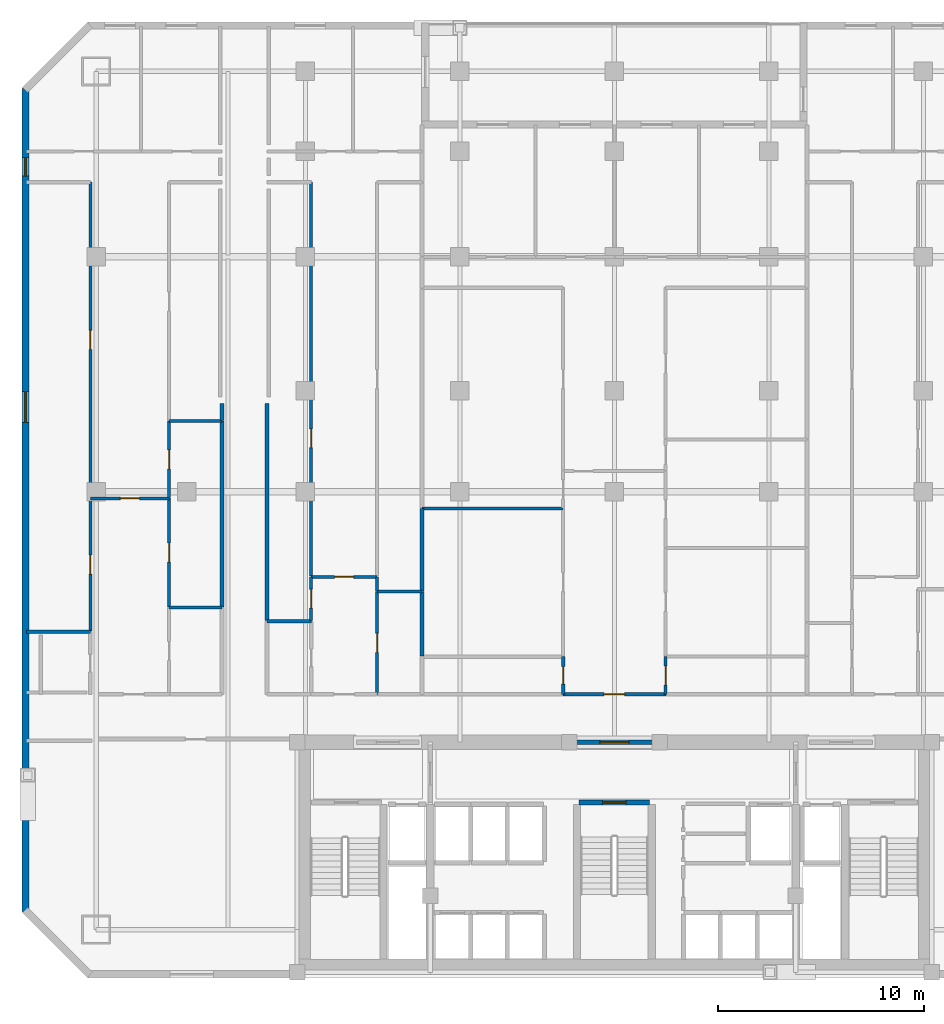
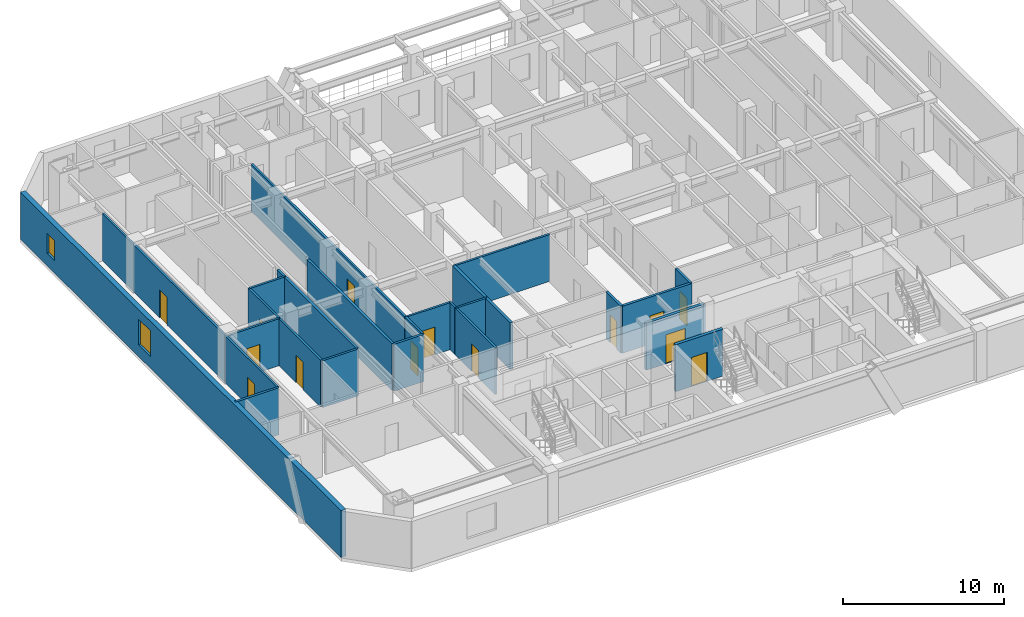
# One storey, part 4 of 10: 27 walls, 14 doors, 2 windows, 16 openings.
"""IFC4 building model written with IfcOpenShell, lengths in metres."""

import ifcopenshell
import ifcopenshell.guid

model = None  # the IFC model being written
_history = None  # IfcOwnerHistory: only IFC2X3 demands one
_inside = {}  # id of a spatial element -> (the spatial element, [elements in it])
_under = {}  # id of a project, library or spatial element -> (it, [spatial elements below it])
_declared = {}  # id of a project -> (the project, [libraries it declares])
_typed = {}  # id of a type object -> (the type object, [elements of that type])
_made_of = {}  # id of a material, layer set ... -> (it, [elements and type objects made of it])


def new_model(schema):
    """Start an empty IFC model of exactly this schema.

    Asked for "IFC4X3", IfcOpenShell would pick the latest addendum, in which some entities
    have other attributes; the version numbers below select the first issue.
    IFC2X3 requires an IfcOwnerHistory on every rooted entity: one is made here for all.
    """
    global model, _history
    if schema == "IFC4X3":
        model = ifcopenshell.file(schema_version=(4, 3, 0, 0))
    else:
        model = ifcopenshell.file(schema=schema)
    _inside.clear()
    _under.clear()
    _declared.clear()
    _typed.clear()
    _made_of.clear()
    _history = None
    if model.schema == "IFC2X3":
        org = make("IfcOrganization", Name="unknown")
        user = make(
            "IfcPersonAndOrganization",
            ThePerson=make("IfcPerson", FamilyName="unknown"),
            TheOrganization=org,
        )
        app = make(
            "IfcApplication",
            ApplicationDeveloper=org,
            Version="unknown",
            ApplicationFullName="unknown",
            ApplicationIdentifier="unknown",
        )
        _history = make(
            "IfcOwnerHistory",
            OwningUser=user,
            OwningApplication=app,
            ChangeAction="ADDED",
            CreationDate=0,
        )
    return model


def make(cls, **values):
    """One entity of the class cls with the attributes given. An attribute that is None is left unset."""
    return model.create_entity(
        cls, **{name: value for name, value in values.items() if value is not None}
    )


def rooted(cls, **values):
    """An entity with a GlobalId (a new one), such as an element, a storey or a relation."""
    return make(cls, GlobalId=ifcopenshell.guid.new(), OwnerHistory=_history, **values)


def si_unit(unit_type, name, prefix=None):
    """IfcSIUnit, for example si_unit("LENGTHUNIT", "METRE", prefix="MILLI")."""
    return make("IfcSIUnit", UnitType=unit_type, Prefix=prefix, Name=name)


def assignment(units):
    """IfcUnitAssignment: the units of a project."""
    return None if units is None else make("IfcUnitAssignment", Units=units)


def point(xyz):
    """IfcCartesianPoint."""
    return None if xyz is None else make("IfcCartesianPoint", Coordinates=xyz)


def direction(xyz):
    """IfcDirection."""
    return None if xyz is None else make("IfcDirection", DirectionRatios=xyz)


def frame(location, z_axis=None, x_axis=None):
    """IfcAxis2Placement3D, a coordinate frame: its origin and axes. An axis left out is left unset."""
    return make(
        "IfcAxis2Placement3D",
        Location=point(location),
        Axis=direction(z_axis),
        RefDirection=direction(x_axis),
    )


def frame_2d(location, x_axis=None):
    """IfcAxis2Placement2D, a coordinate frame in the plane: its origin and x axis."""
    return make(
        "IfcAxis2Placement2D", Location=point(location), RefDirection=direction(x_axis)
    )


def origin():
    """The frame at (0, 0, 0) with its axes left unset."""
    return frame((0.0, 0.0, 0.0))


def place(relative_to, where):
    """IfcLocalPlacement: puts the frame where relative to a parent placement (None: the world)."""
    return make(
        "IfcLocalPlacement", PlacementRelTo=relative_to, RelativePlacement=where
    )


def context(
    kind, dimensions, precision=None, world=None, true_north=None, identifier=None
):
    """IfcGeometricRepresentationContext, for example the 3D "Model" context."""
    return make(
        "IfcGeometricRepresentationContext",
        ContextIdentifier=identifier,
        ContextType=kind,
        CoordinateSpaceDimension=dimensions,
        Precision=precision,
        WorldCoordinateSystem=world,
        TrueNorth=true_north,
    )


def subcontext(parent, identifier, kind, view, scale=None):
    """IfcGeometricRepresentationSubContext, for example "Body" below "Model"."""
    return make(
        "IfcGeometricRepresentationSubContext",
        ContextIdentifier=identifier,
        ContextType=kind,
        ParentContext=parent,
        TargetScale=scale,
        TargetView=view,
    )


def project(units=None, contexts=None):
    """IfcProject with its units and contexts."""
    return rooted(
        "IfcProject",
        Name="project",
        RepresentationContexts=contexts,
        UnitsInContext=assignment(units),
    )


def spatial(cls, under=None, at=None, **own):
    """A site, building, storey or space (cls), placed at a placement, below another one or the project."""
    s = rooted(cls, ObjectPlacement=at, **own)
    if under is not None:
        _under.setdefault(under.id(), (under, []))[1].append(s)
    return s


def profile(cls, at=None, kind="AREA", **sizes):
    """A parametric profile (cls). Its sizes go by their IFC names, for example OverallWidth=200.0."""
    return make(cls, ProfileType=kind, Position=at, **sizes)


def rectangle(**sizes):
    """IfcRectangleProfileDef."""
    return profile("IfcRectangleProfileDef", **sizes)


def extrude(swept, where, along, depth):
    """IfcExtrudedAreaSolid: the profile swept, set in the frame where, extruded along a direction by depth."""
    return make(
        "IfcExtrudedAreaSolid",
        SweptArea=swept,
        Position=where,
        ExtrudedDirection=direction(along),
        Depth=depth,
    )


def shape(context_of_items, identifier, shape_type, items):
    """IfcShapeRepresentation: the items that make up one representation, for example the "Body"."""
    return make(
        "IfcShapeRepresentation",
        ContextOfItems=context_of_items,
        RepresentationIdentifier=identifier,
        RepresentationType=shape_type,
        Items=items,
    )


def material(Name=None, Category=None):
    """IfcMaterial."""
    return make("IfcMaterial", Name=Name, Category=Category)


def layer(
    of_material, thickness, ventilated=None, Name=None, Category=None, Priority=None
):
    """IfcMaterialLayer: one layer of a wall or slab, of a material (None: an air gap)."""
    return make(
        "IfcMaterialLayer",
        Material=of_material,
        LayerThickness=thickness,
        IsVentilated=ventilated,
        Name=Name,
        Category=Category,
        Priority=Priority,
    )


def layer_set(layers, Name=None):
    """IfcMaterialLayerSet."""
    return make("IfcMaterialLayerSet", MaterialLayers=layers, LayerSetName=Name)


def made_of(thing, what):
    """Note that an element or type object is made of a material, layer set ...; save() writes the relation."""
    if what is not None:
        _made_of.setdefault(what.id(), (what, []))[1].append(thing)
    return thing


def type_object(cls, material=None, **own):
    """A type object (cls), such as IfcWallType, which elements share."""
    return made_of(rooted(cls, **own), material)


def element(
    cls,
    number,
    at=None,
    inside=None,
    cuts=None,
    type_object=None,
    material=None,
    context=None,
    identifier="Body",
    shape_type=None,
    held_by="IfcProductDefinitionShape",
    body=None,
    shapes=None,
    **own,
):
    """One element of the class cls, such as IfcWall. Its Tag is "e" and its number.

    at: its placement. inside: the storey or other place that contains it. cuts: it is an
    opening in that element (IfcRelVoidsElement). A single representation is given by context,
    identifier, shape_type and body (its items); several are given by shapes. held_by: the class
    of the entity that holds the representations. save() writes the other relations.
    """
    e = rooted(cls, Tag="e%d" % number, ObjectPlacement=at, **own)
    if body is not None:
        shapes = [shape(context, identifier, shape_type, body)]
    if shapes is not None:
        e.Representation = make(held_by, Representations=shapes)
    if inside is not None:
        _inside.setdefault(inside.id(), (inside, []))[1].append(e)
    if cuts is not None:
        rooted(
            "IfcRelVoidsElement", RelatingBuildingElement=cuts, RelatedOpeningElement=e
        )
    if type_object is not None:
        _typed.setdefault(type_object.id(), (type_object, []))[1].append(e)
    return made_of(e, material)


def fill(opening, filler):
    """IfcRelFillsElement: the door or window that sits in an opening."""
    return rooted(
        "IfcRelFillsElement",
        RelatingOpeningElement=opening,
        RelatedBuildingElement=filler,
    )


def aggregate(whole, parts):
    """IfcRelAggregates: a whole, such as a stair, and the parts it consists of."""
    return rooted("IfcRelAggregates", RelatingObject=whole, RelatedObjects=parts)


def save(model, path):
    """Write the relations noted so far, then the file.

    IfcRelAggregates (storeys below a building ...), IfcRelContainedInSpatialStructure (elements
    in a storey), IfcRelDefinesByType, IfcRelAssociatesMaterial and IfcRelDeclares: one each for
    every whole, place, type object, material and project.
    """
    for whole, parts in _under.values():
        aggregate(whole, parts)
    for where, things in _inside.values():
        rooted(
            "IfcRelContainedInSpatialStructure",
            RelatedElements=things,
            RelatingStructure=where,
        )
    for kind, things in _typed.values():
        rooted("IfcRelDefinesByType", RelatedObjects=things, RelatingType=kind)
    for what, things in _made_of.values():
        rooted("IfcRelAssociatesMaterial", RelatedObjects=things, RelatingMaterial=what)
    for by, libraries in _declared.values():
        rooted("IfcRelDeclares", RelatingContext=by, RelatedDefinitions=libraries)
    model.write(path)


model = new_model("IFC4")

# Units and contexts
model_context = context("Model", 3, precision=1e-05, world=origin(), true_north=direction((0.0, 1.0)))
body_context = subcontext(model_context, "Body", "Model", "MODEL_VIEW")
ifc_project = project(units=[si_unit("LENGTHUNIT", "METRE"), si_unit("AREAUNIT", "SQUARE_METRE"), si_unit("VOLUMEUNIT", "CUBIC_METRE"), si_unit("PLANEANGLEUNIT", "RADIAN"), si_unit("MASSUNIT", "GRAM", prefix="KILO")], contexts=[model_context])

# Site, building, storey
site_placement = place(None, origin())
site = spatial("IfcSite", under=ifc_project, at=site_placement, CompositionType="ELEMENT")
building_placement = place(site_placement, origin())
building = spatial("IfcBuilding", under=site, at=building_placement, Name="Ventersveld Concourse Tower", CompositionType="ELEMENT")
storey_placement = place(building_placement, frame((0.0, 0.0, 72.14990234375)))
storey = spatial("IfcBuildingStorey", under=building, at=storey_placement, Name="L17", CompositionType="ELEMENT", Elevation=72.14990234375)

# Walls
ifc_material_1 = material(Name="Fire-rated autoclaved aerated masonry blockwork", Category="masonry")
ifc_layer_1 = layer(ifc_material_1, 0.179931640625)
ifc_layer_set_1 = layer_set([ifc_layer_1], Name="Fire-rated autoclaved aerated masonry blockwork")
wall_type_1 = type_object("IfcWallType", Name="WL-CORR-180", PredefinedType="PARTITIONING", material=ifc_layer_set_1)
wall_1_placement = place(storey_placement, frame((9.7099609375, 18.009765625, 0.0), z_axis=(0.0, 0.0, 1.0), x_axis=(0.0, 1.0, 0.0)))
element("IfcWall", 1, at=wall_1_placement, inside=storey, type_object=wall_type_1, Name="L17 Interior Partition SP-L17-COR-SP-L17-17NW-DENR", PredefinedType="PARTITIONING", context=body_context, shape_type="SweptSolid", body=[
    extrude(rectangle(XDim=9.024169921875, YDim=0.179931640625, at=frame_2d((4.51220703125, 0.0))), origin(), (0.0, 0.0, 1.0), 3.570068359375),
])
wall_2_placement = place(storey_placement, frame((9.7099609375, 27.06396484375, 0.0), z_axis=(0.0, 0.0, 1.0), x_axis=(0.0, 1.0, 0.0)))
element("IfcWall", 2, at=wall_2_placement, inside=storey, type_object=wall_type_1, Name="L17 Interior Partition SP-L17-COR-SP-L17-17NW-DENS", PredefinedType="PARTITIONING", context=body_context, shape_type="SweptSolid", body=[
    extrude(rectangle(XDim=0.8310546875, YDim=0.179931640625, at=frame_2d((0.41552734375, 0.0))), origin(), (0.0, 0.0, 1.0), 3.570068359375),
])
wall_3_placement = place(storey_placement, frame((11.889892578125, 17.34130859375, 0.0), z_axis=(0.0, 0.0, 1.0), x_axis=(0.0, 1.0, 0.0)))
element("IfcWall", 3, at=wall_3_placement, inside=storey, type_object=wall_type_1, Name="L17 Interior Partition SP-L17-COR-SP-L17-17CW-SEML0", PredefinedType="PARTITIONING", context=body_context, shape_type="SweptSolid", body=[
    extrude(rectangle(XDim=10.5537109375, YDim=0.179931640625, at=frame_2d((5.27685546875, 0.0))), origin(), (0.0, 0.0, 1.0), 3.570068359375),
])

# Wall, opening, door
wall_4_placement = place(storey_placement, frame((26.2548828125, 13.77001953125, 0.0), z_axis=(0.0, 0.0, 1.0), x_axis=(1.0, 0.0, 0.0)))
wall_4 = element("IfcWall", 4, at=wall_4_placement, inside=storey, type_object=wall_type_1, Name="L17 Interior Partition SP-L17-COR-SP-L17-17CM-FOY", PredefinedType="PARTITIONING", context=body_context, shape_type="SweptSolid", body=[
    extrude(rectangle(XDim=4.990234375, YDim=0.179931640625, at=frame_2d((2.4951171875, 0.0))), origin(), (0.0, 0.0, 1.0), 3.570068359375),
])
opening_1_placement = place(wall_4_placement, frame((1.9951171875, 0.0, 0.0)))
opening_1 = element("IfcOpeningElement", 5, at=opening_1_placement, cuts=wall_4, Name="Opening FD3", PredefinedType="OPENING", context=body_context, shape_type="SweptSolid", body=[
    extrude(rectangle(XDim=1.0, YDim=2.14990234375, at=frame_2d((0.5, 1.074951171875))), frame((0.0, 0.10009765625, 0.0), z_axis=(0.0, -1.0, 0.0), x_axis=(1.0, 0.0, 0.0)), (0.0, 0.0, 1.0), 0.199951171875),
])
ifc_material_2 = material(Name="Solid-core hardwood veneer timber", Category="wood")
door_type_1 = type_object("IfcDoorType", Name="DR-FLAT-100", OperationType="NOTDEFINED", PredefinedType="DOOR", material=ifc_material_2)
door_1_placement = place(opening_1_placement, origin())
door_1 = element("IfcDoor", 6, at=door_1_placement, inside=storey, type_object=door_type_1, Name="L17 Interior Door SP-L17-COR to SP-L17-17CM-FOY (FD-L17-0784)", OperationType="SINGLE_SWING_RIGHT", OverallHeight=2.14990234375, OverallWidth=1.0, PredefinedType="DOOR", context=body_context, shape_type="SweptSolid", body=[
    extrude(rectangle(XDim=1.0, YDim=2.14990234375, at=frame_2d((0.5, 1.074951171875))), frame((0.0, 0.02490234375, 0.0), z_axis=(0.0, -1.0, 0.0), x_axis=(1.0, 0.0, 0.0)), (0.0, 0.0, 1.0), 0.050048828125),
])
fill(opening_1, door_1)

# Walls
ifc_layer_2 = layer(ifc_material_1, 0.199951171875)
ifc_layer_set_2 = layer_set([ifc_layer_2], Name="Fire-rated autoclaved aerated masonry blockwork")
wall_type_2 = type_object("IfcWallType", Name="WL-DEMISE-200", PredefinedType="PARTITIONING", material=ifc_layer_set_2)
wall_5_placement = place(storey_placement, frame((19.409912109375, 15.635009765625, 0.0), z_axis=(0.0, 0.0, 1.0), x_axis=(0.0, 1.0, 0.0)))
element("IfcWall", 7, at=wall_5_placement, inside=storey, type_object=wall_type_2, Name="L17 Interior Partition SP-L17-17CW-KIT-SP-L17-17CM-DENL", PredefinedType="PARTITIONING", context=body_context, shape_type="SweptSolid", body=[
    extrude(rectangle(XDim=3.126953125, YDim=0.199951171875, at=frame_2d((1.5634765625, 0.0))), origin(), (0.0, 0.0, 1.0), 3.570068359375),
])
wall_6_placement = place(storey_placement, frame((19.409912109375, 18.7919921875, 0.0), z_axis=(0.0, 0.0, 1.0), x_axis=(0.0, 1.0, 0.0)))
element("IfcWall", 8, at=wall_6_placement, inside=storey, type_object=wall_type_2, Name="L17 Interior Partition SP-L17-17CW-DENR-SP-L17-17CM-DENL", PredefinedType="PARTITIONING", context=body_context, shape_type="SweptSolid", body=[
    extrude(rectangle(XDim=3.994873046875, YDim=0.199951171875, at=frame_2d((1.99755859375, 0.0))), origin(), (0.0, 0.0, 1.0), 3.570068359375),
])

# Wall, opening, door
ifc_layer_3 = layer(ifc_material_1, 0.219970703125)
ifc_layer_set_3 = layer_set([ifc_layer_3], Name="Fire-rated autoclaved aerated masonry blockwork")
wall_type_3 = type_object("IfcWallType", Name="WL-HOIST-220", PredefinedType="SOLIDWALL", material=ifc_layer_set_3)
wall_7_placement = place(storey_placement, frame((27.0400390625, 8.52001953125, 0.0), z_axis=(0.0, 0.0, 1.0), x_axis=(1.0, 0.0, 0.0)))
wall_7 = element("IfcWall", 9, at=wall_7_placement, inside=storey, type_object=wall_type_3, Name="L17 Escape Stair ST03 Fire Wall", PredefinedType="SOLIDWALL", context=body_context, shape_type="SweptSolid", body=[
    extrude(rectangle(XDim=3.419921875, YDim=0.219970703125, at=frame_2d((1.7099609375, 0.0))), origin(), (0.0, 0.0, 1.0), 3.570068359375),
])
opening_2_placement = place(wall_7_placement, frame((1.135009765625, 0.0, 0.0)))
opening_2 = element("IfcOpeningElement", 10, at=opening_2_placement, cuts=wall_7, Name="Opening FD1", PredefinedType="OPENING", context=body_context, shape_type="SweptSolid", body=[
    extrude(rectangle(XDim=1.14990234375, YDim=2.199951171875, at=frame_2d((0.574951171875, 1.10009765625))), frame((0.0, 0.1201171875, 0.0), z_axis=(0.0, -1.0, 0.0), x_axis=(1.0, 0.0, 0.0)), (0.0, 0.0, 1.0), 0.239990234375),
])
ifc_material_3 = material(Name="Galvanised painted steel", Category="steel")
door_type_2 = type_object("IfcDoorType", Name="DR-STAIR-115", OperationType="NOTDEFINED", PredefinedType="DOOR", material=ifc_material_3)
door_2_placement = place(opening_2_placement, origin())
door_2 = element("IfcDoor", 11, at=door_2_placement, inside=storey, type_object=door_type_2, Name="L17 Escape Stair Door ST03 (SD-L17-0769)", OperationType="SINGLE_SWING_LEFT", OverallHeight=2.199951171875, OverallWidth=1.14990234375, PredefinedType="DOOR", context=body_context, shape_type="SweptSolid", body=[
    extrude(rectangle(XDim=1.14990234375, YDim=2.199951171875, at=frame_2d((0.574951171875, 1.10009765625))), frame((0.0, 0.02490234375, 0.0), z_axis=(0.0, -1.0, 0.0), x_axis=(1.0, 0.0, 0.0)), (0.0, 0.0, 1.0), 0.050048828125),
])
fill(opening_2, door_2)

wall_8_placement = place(storey_placement, frame((26.6298828125, 11.449951171875, 0.0), z_axis=(0.0, 0.0, 1.0), x_axis=(1.0, 0.0, 0.0)))
wall_8 = element("IfcWall", 12, at=wall_8_placement, inside=storey, type_object=wall_type_3, Name="L17 Core North Fire Portal PLOB-OUT", PredefinedType="SOLIDWALL", context=body_context, shape_type="SweptSolid", body=[
    extrude(rectangle(XDim=4.240234375, YDim=0.219970703125, at=frame_2d((2.1201171875, 0.0))), origin(), (0.0, 0.0, 1.0), 3.570068359375),
])
opening_3_placement = place(wall_8_placement, frame((1.419921875, 0.0, 0.0)))
opening_3 = element("IfcOpeningElement", 13, at=opening_3_placement, cuts=wall_8, Name="Opening FD4", PredefinedType="OPENING", context=body_context, shape_type="SweptSolid", body=[
    extrude(rectangle(XDim=1.39990234375, YDim=2.199951171875, at=frame_2d((0.699951171875, 1.10009765625))), frame((0.0, 0.1201171875, 0.0), z_axis=(0.0, -1.0, 0.0), x_axis=(1.0, 0.0, 0.0)), (0.0, 0.0, 1.0), 0.239990234375),
])
door_type_3 = type_object("IfcDoorType", Name="DR-PLANT-140", OperationType="DOUBLE_DOOR_SINGLE_SWING", PredefinedType="DOOR", material=ifc_material_3)
door_3_placement = place(opening_3_placement, origin())
door_3 = element("IfcDoor", 14, at=door_3_placement, inside=storey, type_object=door_type_3, Name="L17 Core Lobby Fire Door PLOB-OUT (FD-L17-0773)", OperationType="DOUBLE_DOOR_SINGLE_SWING", OverallHeight=2.199951171875, OverallWidth=1.39990234375, PredefinedType="DOOR", context=body_context, shape_type="SweptSolid", body=[
    extrude(rectangle(XDim=1.39990234375, YDim=2.199951171875, at=frame_2d((0.699951171875, 1.10009765625))), frame((0.0, 0.02490234375, 0.0), z_axis=(0.0, -1.0, 0.0), x_axis=(1.0, 0.0, 0.0)), (0.0, 0.0, 1.0), 0.050048828125),
])
fill(opening_3, door_3)

ifc_material_4 = material(Name="Autoclaved aerated masonry blockwork", Category="masonry")
ifc_layer_4 = layer(ifc_material_4, 0.14990234375)
ifc_layer_set_4 = layer_set([ifc_layer_4], Name="Autoclaved aerated masonry blockwork")
wall_type_4 = type_object("IfcWallType", Name="WL-INT-150", PredefinedType="PARTITIONING", material=ifc_layer_set_4)
wall_9_placement = place(storey_placement, frame((3.31787109375, 23.2822265625, 0.0), z_axis=(0.0, 0.0, 1.0), x_axis=(1.0, 0.0, 0.0)))
wall_9 = element("IfcWall", 15, at=wall_9_placement, inside=storey, type_object=wall_type_4, Name="L17 Interior Partition SP-L17-17NW-FOY-SP-L17-17NW-LIV", PredefinedType="PARTITIONING", context=body_context, shape_type="SweptSolid", body=[
    extrude(rectangle(XDim=3.83203125, YDim=0.14990234375, at=frame_2d((1.916015625, 0.0))), origin(), (0.0, 0.0, 1.0), 3.570068359375),
])
opening_4_placement = place(wall_9_placement, frame((1.4560546875, 0.0, 0.0)))
opening_4 = element("IfcOpeningElement", 16, at=opening_4_placement, cuts=wall_9, Name="Opening ID1", PredefinedType="OPENING", context=body_context, shape_type="SweptSolid", body=[
    extrude(rectangle(XDim=0.919921875, YDim=2.10009765625, at=frame_2d((0.4599609375, 1.050048828125))), frame((0.0, 0.0849609375, 0.0), z_axis=(0.0, -1.0, 0.0), x_axis=(1.0, 0.0, 0.0)), (0.0, 0.0, 1.0), 0.169921875),
])
door_type_4 = type_object("IfcDoorType", Name="DR-ROOM-092", OperationType="NOTDEFINED", PredefinedType="DOOR", material=ifc_material_2)
door_4_placement = place(opening_4_placement, origin())
door_4 = element("IfcDoor", 17, at=door_4_placement, inside=storey, type_object=door_type_4, Name="L17 Interior Door SP-L17-17NW-FOY to SP-L17-17NW-LIV (D-L17-0785)", OperationType="SINGLE_SWING_LEFT", OverallHeight=2.10009765625, OverallWidth=0.919921875, PredefinedType="DOOR", context=body_context, shape_type="SweptSolid", body=[
    extrude(rectangle(XDim=0.919921875, YDim=2.10009765625, at=frame_2d((0.4599609375, 1.050048828125))), frame((0.0, 0.02490234375, 0.0), z_axis=(0.0, -1.0, 0.0), x_axis=(1.0, 0.0, 0.0)), (0.0, 0.0, 1.0), 0.050048828125),
])
fill(opening_4, door_4)

wall_10_placement = place(storey_placement, frame((3.32275390625, 16.838623046875, 0.0), z_axis=(0.0, 0.0, 1.0), x_axis=(0.0, 1.0, 0.0)))
wall_10 = element("IfcWall", 18, at=wall_10_placement, inside=storey, type_object=wall_type_4, Name="L17 Interior Partition SP-L17-17NW-FOY-SP-L17-17NW-MEDL0", PredefinedType="PARTITIONING", context=body_context, shape_type="SweptSolid", body=[
    extrude(rectangle(XDim=6.448486328125, YDim=0.14990234375, at=frame_2d((3.22412109375, 0.0))), origin(), (0.0, 0.0, 1.0), 3.570068359375),
])
opening_5_placement = place(wall_10_placement, frame((2.76416015625, 0.0, 0.0)))
opening_5 = element("IfcOpeningElement", 19, at=opening_5_placement, cuts=wall_10, Name="Opening ID1", PredefinedType="OPENING", context=body_context, shape_type="SweptSolid", body=[
    extrude(rectangle(XDim=0.919921875, YDim=2.10009765625, at=frame_2d((0.4599609375, 1.050048828125))), frame((0.0, 0.0849609375, 0.0), z_axis=(0.0, -1.0, 0.0), x_axis=(1.0, 0.0, 0.0)), (0.0, 0.0, 1.0), 0.169921875),
])
door_5_placement = place(opening_5_placement, origin())
door_5 = element("IfcDoor", 20, at=door_5_placement, inside=storey, type_object=door_type_4, Name="L17 Interior Door SP-L17-17NW-FOY to SP-L17-17NW-MEDL0 (D-L17-0787)", OperationType="SINGLE_SWING_LEFT", OverallHeight=2.10009765625, OverallWidth=0.919921875, PredefinedType="DOOR", context=body_context, shape_type="SweptSolid", body=[
    extrude(rectangle(XDim=0.919921875, YDim=2.10009765625, at=frame_2d((0.4599609375, 1.050048828125))), frame((0.0, 0.02490234375, 0.0), z_axis=(0.0, -1.0, 0.0), x_axis=(1.0, 0.0, 0.0)), (0.0, 0.0, 1.0), 0.050048828125),
])
fill(opening_5, door_5)

wall_11_placement = place(storey_placement, frame((7.144775390625, 18.009765625, 0.0), z_axis=(0.0, 0.0, 1.0), x_axis=(0.0, 1.0, 0.0)))
wall_11 = element("IfcWall", 21, at=wall_11_placement, inside=storey, type_object=wall_type_4, Name="L17 Interior Partition SP-L17-17NW-FOY-SP-L17-17NW-DENR", PredefinedType="PARTITIONING", context=body_context, shape_type="SweptSolid", body=[
    extrude(rectangle(XDim=5.27734375, YDim=0.14990234375, at=frame_2d((2.638671875, 0.0))), origin(), (0.0, 0.0, 1.0), 3.570068359375),
])
opening_6_placement = place(wall_11_placement, frame((2.1787109375, 0.0, 0.0)))
opening_6 = element("IfcOpeningElement", 22, at=opening_6_placement, cuts=wall_11, Name="Opening ID1", PredefinedType="OPENING", context=body_context, shape_type="SweptSolid", body=[
    extrude(rectangle(XDim=0.919921875, YDim=2.10009765625, at=frame_2d((0.4599609375, 1.050048828125))), frame((0.0, 0.0849609375, 0.0), z_axis=(0.0, -1.0, 0.0), x_axis=(1.0, 0.0, 0.0)), (0.0, 0.0, 1.0), 0.169921875),
])
door_6_placement = place(opening_6_placement, origin())
door_6 = element("IfcDoor", 23, at=door_6_placement, inside=storey, type_object=door_type_4, Name="L17 Interior Door SP-L17-17NW-FOY to SP-L17-17NW-DENR (D-L17-0789)", OperationType="SINGLE_SWING_LEFT", OverallHeight=2.10009765625, OverallWidth=0.919921875, PredefinedType="DOOR", context=body_context, shape_type="SweptSolid", body=[
    extrude(rectangle(XDim=0.919921875, YDim=2.10009765625, at=frame_2d((0.4599609375, 1.050048828125))), frame((0.0, 0.02490234375, 0.0), z_axis=(0.0, -1.0, 0.0), x_axis=(1.0, 0.0, 0.0)), (0.0, 0.0, 1.0), 0.050048828125),
])
fill(opening_6, door_6)

wall_12_placement = place(storey_placement, frame((3.32275390625, 23.317138671875, 0.0), z_axis=(0.0, 0.0, 1.0), x_axis=(0.0, 1.0, 0.0)))
wall_12 = element("IfcWall", 24, at=wall_12_placement, inside=storey, type_object=wall_type_4, Name="L17 Interior Partition SP-L17-17NW-LIV-SP-L17-17NW-MEDL0", PredefinedType="PARTITIONING", context=body_context, shape_type="SweptSolid", body=[
    extrude(rectangle(XDim=15.307861328125, YDim=0.14990234375, at=frame_2d((7.65380859375, 0.0))), origin(), (0.0, 0.0, 1.0), 3.570068359375),
])
opening_7_placement = place(wall_12_placement, frame((7.19384765625, 0.0, 0.0)))
opening_7 = element("IfcOpeningElement", 25, at=opening_7_placement, cuts=wall_12, Name="Opening ID1", PredefinedType="OPENING", context=body_context, shape_type="SweptSolid", body=[
    extrude(rectangle(XDim=0.919921875, YDim=2.10009765625, at=frame_2d((0.4599609375, 1.050048828125))), frame((0.0, 0.0849609375, 0.0), z_axis=(0.0, -1.0, 0.0), x_axis=(1.0, 0.0, 0.0)), (0.0, 0.0, 1.0), 0.169921875),
])
door_7_placement = place(opening_7_placement, origin())
door_7 = element("IfcDoor", 26, at=door_7_placement, inside=storey, type_object=door_type_4, Name="L17 Interior Door SP-L17-17NW-LIV to SP-L17-17NW-MEDL0 (D-L17-0790)", OperationType="SINGLE_SWING_RIGHT", OverallHeight=2.10009765625, OverallWidth=0.919921875, PredefinedType="DOOR", context=body_context, shape_type="SweptSolid", body=[
    extrude(rectangle(XDim=0.919921875, YDim=2.10009765625, at=frame_2d((0.4599609375, 1.050048828125))), frame((0.0, 0.02490234375, 0.0), z_axis=(0.0, -1.0, 0.0), x_axis=(1.0, 0.0, 0.0)), (0.0, 0.0, 1.0), 0.050048828125),
])
fill(opening_7, door_7)

wall_13_placement = place(storey_placement, frame((7.144775390625, 23.317138671875, 0.0), z_axis=(0.0, 0.0, 1.0), x_axis=(0.0, 1.0, 0.0)))
wall_13 = element("IfcWall", 27, at=wall_13_placement, inside=storey, type_object=wall_type_4, Name="L17 Interior Partition SP-L17-17NW-LIV-SP-L17-17NW-DENR", PredefinedType="PARTITIONING", context=body_context, shape_type="SweptSolid", body=[
    extrude(rectangle(XDim=3.716796875, YDim=0.14990234375, at=frame_2d((1.8583984375, 0.0))), origin(), (0.0, 0.0, 1.0), 3.570068359375),
])
opening_8_placement = place(wall_13_placement, frame((1.3984375, 0.0, 0.0)))
opening_8 = element("IfcOpeningElement", 28, at=opening_8_placement, cuts=wall_13, Name="Opening ID1", PredefinedType="OPENING", context=body_context, shape_type="SweptSolid", body=[
    extrude(rectangle(XDim=0.919921875, YDim=2.10009765625, at=frame_2d((0.4599609375, 1.050048828125))), frame((0.0, 0.0849609375, 0.0), z_axis=(0.0, -1.0, 0.0), x_axis=(1.0, 0.0, 0.0)), (0.0, 0.0, 1.0), 0.169921875),
])
door_8_placement = place(opening_8_placement, origin())
door_8 = element("IfcDoor", 29, at=door_8_placement, inside=storey, type_object=door_type_4, Name="L17 Interior Door SP-L17-17NW-LIV to SP-L17-17NW-DENR (D-L17-0791)", OperationType="SINGLE_SWING_LEFT", OverallHeight=2.10009765625, OverallWidth=0.919921875, PredefinedType="DOOR", context=body_context, shape_type="SweptSolid", body=[
    extrude(rectangle(XDim=0.919921875, YDim=2.10009765625, at=frame_2d((0.4599609375, 1.050048828125))), frame((0.0, 0.02490234375, 0.0), z_axis=(0.0, -1.0, 0.0), x_axis=(1.0, 0.0, 0.0)), (0.0, 0.0, 1.0), 0.050048828125),
])
fill(opening_8, door_8)

# Walls
for number, where, z_axis, x_axis, name in (
    (30, (7.139892578125, 17.974853515625, 0.0), (0.0, 0.0, 1.0), (1.0, 0.0, 0.0), "L17 Interior Partition SP-L17-17NW-KIT-SP-L17-17NW-DENR"),
    (31, (7.139892578125, 27.029052734375, 0.0), (0.0, 0.0, 1.0), (1.0, 0.0, 0.0), "L17 Interior Partition SP-L17-17NW-DENR-SP-L17-17NW-DENS"),
):
    element("IfcWall", number, at=place(storey_placement, frame(where, z_axis=z_axis, x_axis=x_axis)), inside=storey, type_object=wall_type_4, Name=name, PredefinedType="PARTITIONING", context=body_context, shape_type="SweptSolid", body=[
        extrude(rectangle(XDim=2.5751953125, YDim=0.14990234375, at=frame_2d((1.28759765625, 0.0))), origin(), (0.0, 0.0, 1.0), 3.570068359375),
    ])

# Wall, opening, door
wall_14_placement = place(storey_placement, frame((14.031494140625, 19.468505859375, 0.0), z_axis=(0.0, 0.0, 1.0), x_axis=(1.0, 0.0, 0.0)))
wall_14 = element("IfcWall", 32, at=wall_14_placement, inside=storey, type_object=wall_type_4, Name="L17 Interior Partition SP-L17-17CW-FOY-SP-L17-17CW-LIV", PredefinedType="PARTITIONING", context=body_context, shape_type="SweptSolid", body=[
    extrude(rectangle(XDim=3.206298828125, YDim=0.14990234375, at=frame_2d((1.60302734375, 0.0))), origin(), (0.0, 0.0, 1.0), 3.570068359375),
])
opening_9_placement = place(wall_14_placement, frame((1.143310546875, 0.0, 0.0)))
opening_9 = element("IfcOpeningElement", 33, at=opening_9_placement, cuts=wall_14, Name="Opening ID1", PredefinedType="OPENING", context=body_context, shape_type="SweptSolid", body=[
    extrude(rectangle(XDim=0.919921875, YDim=2.10009765625, at=frame_2d((0.4599609375, 1.050048828125))), frame((0.0, 0.0849609375, 0.0), z_axis=(0.0, -1.0, 0.0), x_axis=(1.0, 0.0, 0.0)), (0.0, 0.0, 1.0), 0.169921875),
])
door_9_placement = place(opening_9_placement, origin())
door_9 = element("IfcDoor", 34, at=door_9_placement, inside=storey, type_object=door_type_4, Name="L17 Interior Door SP-L17-17CW-FOY to SP-L17-17CW-LIV (D-L17-0804)", OperationType="SINGLE_SWING_RIGHT", OverallHeight=2.10009765625, OverallWidth=0.919921875, PredefinedType="DOOR", context=body_context, shape_type="SweptSolid", body=[
    extrude(rectangle(XDim=0.919921875, YDim=2.10009765625, at=frame_2d((0.4599609375, 1.050048828125))), frame((0.0, 0.02490234375, 0.0), z_axis=(0.0, -1.0, 0.0), x_axis=(1.0, 0.0, 0.0)), (0.0, 0.0, 1.0), 0.050048828125),
])
fill(opening_9, door_9)

wall_15_placement = place(storey_placement, frame((14.03662109375, 17.34130859375, 0.0), z_axis=(0.0, 0.0, 1.0), x_axis=(0.0, 1.0, 0.0)))
wall_15 = element("IfcWall", 35, at=wall_15_placement, inside=storey, type_object=wall_type_4, Name="L17 Interior Partition SP-L17-17CW-FOY-SP-L17-17CW-SEML0", PredefinedType="PARTITIONING", context=body_context, shape_type="SweptSolid", body=[
    extrude(rectangle(XDim=2.13232421875, YDim=0.14990234375, at=frame_2d((1.066162109375, 0.0))), origin(), (0.0, 0.0, 1.0), 3.570068359375),
])
opening_10_placement = place(wall_15_placement, frame((0.606201171875, 0.0, 0.0)))
opening_10 = element("IfcOpeningElement", 36, at=opening_10_placement, cuts=wall_15, Name="Opening ID1", PredefinedType="OPENING", context=body_context, shape_type="SweptSolid", body=[
    extrude(rectangle(XDim=0.919921875, YDim=2.10009765625, at=frame_2d((0.4599609375, 1.050048828125))), frame((0.0, 0.0849609375, 0.0), z_axis=(0.0, -1.0, 0.0), x_axis=(1.0, 0.0, 0.0)), (0.0, 0.0, 1.0), 0.169921875),
])
door_10_placement = place(opening_10_placement, origin())
door_10 = element("IfcDoor", 37, at=door_10_placement, inside=storey, type_object=door_type_4, Name="L17 Interior Door SP-L17-17CW-FOY to SP-L17-17CW-SEML0 (D-L17-0806)", OperationType="SINGLE_SWING_RIGHT", OverallHeight=2.10009765625, OverallWidth=0.919921875, PredefinedType="DOOR", context=body_context, shape_type="SweptSolid", body=[
    extrude(rectangle(XDim=0.919921875, YDim=2.10009765625, at=frame_2d((0.4599609375, 1.050048828125))), frame((0.0, 0.02490234375, 0.0), z_axis=(0.0, -1.0, 0.0), x_axis=(1.0, 0.0, 0.0)), (0.0, 0.0, 1.0), 0.050048828125),
])
fill(opening_10, door_10)

wall_16_placement = place(storey_placement, frame((17.23291015625, 13.764892578125, 0.0), z_axis=(0.0, 0.0, 1.0), x_axis=(0.0, 1.0, 0.0)))
wall_16 = element("IfcWall", 38, at=wall_16_placement, inside=storey, type_object=wall_type_4, Name="L17 Interior Partition SP-L17-17CW-FOY-SP-L17-17CW-KIT", PredefinedType="PARTITIONING", context=body_context, shape_type="SweptSolid", body=[
    extrude(rectangle(XDim=4.9970703125, YDim=0.14990234375, at=frame_2d((2.49853515625, 0.0))), origin(), (0.0, 0.0, 1.0), 3.570068359375),
])
opening_11_placement = place(wall_16_placement, frame((2.03857421875, 0.0, 0.0)))
opening_11 = element("IfcOpeningElement", 39, at=opening_11_placement, cuts=wall_16, Name="Opening ID1", PredefinedType="OPENING", context=body_context, shape_type="SweptSolid", body=[
    extrude(rectangle(XDim=0.919921875, YDim=2.10009765625, at=frame_2d((0.4599609375, 1.050048828125))), frame((0.0, 0.0849609375, 0.0), z_axis=(0.0, -1.0, 0.0), x_axis=(1.0, 0.0, 0.0)), (0.0, 0.0, 1.0), 0.169921875),
])
door_11_placement = place(opening_11_placement, origin())
door_11 = element("IfcDoor", 40, at=door_11_placement, inside=storey, type_object=door_type_4, Name="L17 Interior Door SP-L17-17CW-FOY to SP-L17-17CW-KIT (D-L17-0807)", OperationType="SINGLE_SWING_LEFT", OverallHeight=2.10009765625, OverallWidth=0.919921875, PredefinedType="DOOR", context=body_context, shape_type="SweptSolid", body=[
    extrude(rectangle(XDim=0.919921875, YDim=2.10009765625, at=frame_2d((0.4599609375, 1.050048828125))), frame((0.0, 0.02490234375, 0.0), z_axis=(0.0, -1.0, 0.0), x_axis=(1.0, 0.0, 0.0)), (0.0, 0.0, 1.0), 0.050048828125),
])
fill(opening_11, door_11)

# Wall
wall_17_placement = place(storey_placement, frame((17.23291015625, 18.7919921875, 0.0), z_axis=(0.0, 0.0, 1.0), x_axis=(0.0, 1.0, 0.0)))
element("IfcWall", 41, at=wall_17_placement, inside=storey, type_object=wall_type_4, Name="L17 Interior Partition SP-L17-17CW-FOY-SP-L17-17CW-DENR", PredefinedType="PARTITIONING", context=body_context, shape_type="SweptSolid", body=[
    extrude(rectangle(XDim=0.681640625, YDim=0.14990234375, at=frame_2d((0.3408203125, 0.0))), origin(), (0.0, 0.0, 1.0), 3.570068359375),
])

# Wall, opening, door
wall_18_placement = place(storey_placement, frame((14.03662109375, 19.503662109375, 0.0), z_axis=(0.0, 0.0, 1.0), x_axis=(0.0, 1.0, 0.0)))
wall_18 = element("IfcWall", 42, at=wall_18_placement, inside=storey, type_object=wall_type_4, Name="L17 Interior Partition SP-L17-17CW-LIV-SP-L17-17CW-SEML0", PredefinedType="PARTITIONING", context=body_context, shape_type="SweptSolid", body=[
    extrude(rectangle(XDim=19.121337890625, YDim=0.14990234375, at=frame_2d((9.560546875, 0.0))), origin(), (0.0, 0.0, 1.0), 3.570068359375),
])
opening_12_placement = place(wall_18_placement, frame((6.232421875, 0.0, 0.0)))
opening_12 = element("IfcOpeningElement", 43, at=opening_12_placement, cuts=wall_18, Name="Opening ID1", PredefinedType="OPENING", context=body_context, shape_type="SweptSolid", body=[
    extrude(rectangle(XDim=0.919921875, YDim=2.10009765625, at=frame_2d((0.4599609375, 1.050048828125))), frame((0.0, 0.0849609375, 0.0), z_axis=(0.0, -1.0, 0.0), x_axis=(1.0, 0.0, 0.0)), (0.0, 0.0, 1.0), 0.169921875),
])
door_12_placement = place(opening_12_placement, origin())
door_12 = element("IfcDoor", 44, at=door_12_placement, inside=storey, type_object=door_type_4, Name="L17 Interior Door SP-L17-17CW-LIV to SP-L17-17CW-SEML0 (D-L17-0808)", OperationType="SINGLE_SWING_RIGHT", OverallHeight=2.10009765625, OverallWidth=0.919921875, PredefinedType="DOOR", context=body_context, shape_type="SweptSolid", body=[
    extrude(rectangle(XDim=0.919921875, YDim=2.10009765625, at=frame_2d((0.4599609375, 1.050048828125))), frame((0.0, 0.02490234375, 0.0), z_axis=(0.0, -1.0, 0.0), x_axis=(1.0, 0.0, 0.0)), (0.0, 0.0, 1.0), 0.050048828125),
])
fill(opening_12, door_12)

# Wall
wall_19_placement = place(storey_placement, frame((17.227783203125, 18.757080078125, 0.0), z_axis=(0.0, 0.0, 1.0), x_axis=(1.0, 0.0, 0.0)))
element("IfcWall", 45, at=wall_19_placement, inside=storey, type_object=wall_type_4, Name="L17 Interior Partition SP-L17-17CW-KIT-SP-L17-17CW-DENR", PredefinedType="PARTITIONING", context=body_context, shape_type="SweptSolid", body=[
    extrude(rectangle(XDim=2.187255859375, YDim=0.14990234375, at=frame_2d((1.09375, 0.0))), origin(), (0.0, 0.0, 1.0), 3.570068359375),
])

# Wall, opening, door
wall_20_placement = place(storey_placement, frame((31.239990234375, 13.764892578125, 0.0), z_axis=(0.0, 0.0, 1.0), x_axis=(0.0, 1.0, 0.0)))
wall_20 = element("IfcWall", 46, at=wall_20_placement, inside=storey, type_object=wall_type_4, Name="L17 Interior Partition SP-L17-17CM-FOY-SP-L17-17CM-KIT", PredefinedType="PARTITIONING", context=body_context, shape_type="SweptSolid", body=[
    extrude(rectangle(XDim=1.840087890625, YDim=0.14990234375, at=frame_2d((0.919921875, 0.0))), origin(), (0.0, 0.0, 1.0), 3.570068359375),
])
opening_13_placement = place(wall_20_placement, frame((0.4599609375, 0.0, 0.0)))
opening_13 = element("IfcOpeningElement", 47, at=opening_13_placement, cuts=wall_20, Name="Opening ID1", PredefinedType="OPENING", context=body_context, shape_type="SweptSolid", body=[
    extrude(rectangle(XDim=0.919921875, YDim=2.10009765625, at=frame_2d((0.4599609375, 1.050048828125))), frame((0.0, 0.0849609375, 0.0), z_axis=(0.0, -1.0, 0.0), x_axis=(1.0, 0.0, 0.0)), (0.0, 0.0, 1.0), 0.169921875),
])
door_13_placement = place(opening_13_placement, origin())
door_13 = element("IfcDoor", 48, at=door_13_placement, inside=storey, type_object=door_type_4, Name="L17 Interior Door SP-L17-17CM-FOY to SP-L17-17CM-KIT (D-L17-0824)", OperationType="SINGLE_SWING_RIGHT", OverallHeight=2.10009765625, OverallWidth=0.919921875, PredefinedType="DOOR", context=body_context, shape_type="SweptSolid", body=[
    extrude(rectangle(XDim=0.919921875, YDim=2.10009765625, at=frame_2d((0.4599609375, 1.050048828125))), frame((0.0, 0.02490234375, 0.0), z_axis=(0.0, -1.0, 0.0), x_axis=(1.0, 0.0, 0.0)), (0.0, 0.0, 1.0), 0.050048828125),
])
fill(opening_13, door_13)

# Wall
wall_21_placement = place(storey_placement, frame((19.405029296875, 22.78173828125, 0.0), z_axis=(0.0, 0.0, 1.0), x_axis=(1.0, 0.0, 0.0)))
element("IfcWall", 49, at=wall_21_placement, inside=storey, type_object=wall_type_4, Name="L17 Interior Partition SP-L17-17CM-DENL-SP-L17-17CM-DENL2", PredefinedType="PARTITIONING", context=body_context, shape_type="SweptSolid", body=[
    extrude(rectangle(XDim=6.85986328125, YDim=0.14990234375, at=frame_2d((3.429931640625, 0.0))), origin(), (0.0, 0.0, 1.0), 3.570068359375),
])

# Wall, openings, windows
ifc_material_5 = material(Name="Precast concrete C45/55", Category="concrete")
ifc_layer_5 = layer(ifc_material_5, 0.35009765625)
ifc_layer_set_5 = layer_set([ifc_layer_5], Name="Precast concrete C45/55")
wall_type_5 = type_object("IfcWallType", Name="WL-PREC-350", PredefinedType="SOLIDWALL", material=ifc_layer_set_5)
wall_22_placement = place(storey_placement, frame((0.175048828125, 43.159912109375, 0.0), z_axis=(0.0, 0.0, 1.0), x_axis=(0.0, -1.0, 0.0)))
wall_22 = element("IfcWall", 50, at=wall_22_placement, inside=storey, type_object=wall_type_5, Name="L17 Highveld Precast Facade Wall E11", PredefinedType="SOLIDWALL", context=body_context, shape_type="SweptSolid", body=[
    extrude(rectangle(XDim=39.919921875, YDim=0.35009765625, at=frame_2d((19.9599609375, 0.0))), origin(), (0.0, 0.0, 1.0), 3.570068359375),
])
opening_14_placement = place(wall_22_placement, frame((3.340087890625, 0.0, 0.949951171875)))
opening_14 = element("IfcOpeningElement", 51, at=opening_14_placement, cuts=wall_22, Name="Opening W4", PredefinedType="OPENING", context=body_context, shape_type="SweptSolid", body=[
    extrude(rectangle(XDim=0.89990234375, YDim=1.5, at=frame_2d((0.449951171875, 0.75))), frame((0.0, 0.18505859375, 0.0), z_axis=(0.0, -1.0, 0.0), x_axis=(1.0, 0.0, 0.0)), (0.0, 0.0, 1.0), 0.3701171875),
])
opening_15_placement = place(wall_22_placement, frame((14.697998046875, 0.0, 0.89990234375)))
opening_15 = element("IfcOpeningElement", 52, at=opening_15_placement, cuts=wall_22, Name="Opening W1", PredefinedType="OPENING", context=body_context, shape_type="SweptSolid", body=[
    extrude(rectangle(XDim=1.5, YDim=1.949951171875, at=frame_2d((0.75, 0.97509765625))), frame((0.0, 0.18505859375, 0.0), z_axis=(0.0, -1.0, 0.0), x_axis=(1.0, 0.0, 0.0)), (0.0, 0.0, 1.0), 0.3701171875),
])
ifc_material_6 = material(Name="Tempered acoustic Low-E IGU", Category="glass")
window_type_1 = type_object("IfcWindowType", Name="WIN-090x150", PartitioningType="SINGLE_PANEL", PredefinedType="WINDOW", material=ifc_material_6)
window_1_placement = place(opening_14_placement, origin())
window_1 = element("IfcWindow", 53, at=window_1_placement, inside=storey, type_object=window_type_1, Name="L17 Punched Low-E Window W-0161", OverallHeight=1.5, OverallWidth=0.89990234375, PartitioningType="SINGLE_PANEL", PredefinedType="WINDOW", context=body_context, shape_type="SweptSolid", body=[
    extrude(rectangle(XDim=0.89990234375, YDim=1.5, at=frame_2d((0.449951171875, 0.75))), frame((0.0, 0.030029296875, 0.0), z_axis=(0.0, -1.0, 0.0), x_axis=(1.0, 0.0, 0.0)), (0.0, 0.0, 1.0), 0.06005859375),
])
fill(opening_14, window_1)
window_type_2 = type_object("IfcWindowType", Name="WIN-150x210", PartitioningType="SINGLE_PANEL", PredefinedType="WINDOW", material=ifc_material_6)
window_2_placement = place(opening_15_placement, origin())
window_2 = element("IfcWindow", 54, at=window_2_placement, inside=storey, type_object=window_type_2, Name="L17 Punched Low-E Window W-0162", OverallHeight=1.949951171875, OverallWidth=1.5, PartitioningType="SINGLE_PANEL", PredefinedType="WINDOW", context=body_context, shape_type="SweptSolid", body=[
    extrude(rectangle(XDim=1.5, YDim=1.949951171875, at=frame_2d((0.75, 0.97509765625))), frame((0.0, 0.030029296875, 0.0), z_axis=(0.0, -1.0, 0.0), x_axis=(1.0, 0.0, 0.0)), (0.0, 0.0, 1.0), 0.06005859375),
])
fill(opening_15, window_2)

# Walls
ifc_layer_6 = layer(ifc_material_4, 0.1650390625)
ifc_layer_set_6 = layer_set([ifc_layer_6], Name="Autoclaved aerated masonry blockwork")
wall_type_6 = type_object("IfcWallType", Name="WL-WET-165", PredefinedType="PLUMBINGWALL", material=ifc_layer_set_6)
wall_23_placement = place(storey_placement, frame((0.2099609375, 16.8037109375, 0.0), z_axis=(0.0, 0.0, 1.0), x_axis=(1.0, 0.0, 0.0)))
element("IfcWall", 55, at=wall_23_placement, inside=storey, type_object=wall_type_6, Name="L17 Interior Partition SP-L17-17NW-BATH-SP-L17-17NW-MEDL0", PredefinedType="PLUMBINGWALL", context=body_context, shape_type="SweptSolid", body=[
    extrude(rectangle(XDim=3.117919921875, YDim=0.1650390625, at=frame_2d((1.55908203125, 0.0))), origin(), (0.0, 0.0, 1.0), 3.570068359375),
])
wall_24_placement = place(storey_placement, frame((11.885009765625, 17.30615234375, 0.0), z_axis=(0.0, 0.0, 1.0), x_axis=(1.0, 0.0, 0.0)))
element("IfcWall", 56, at=wall_24_placement, inside=storey, type_object=wall_type_6, Name="L17 Interior Partition SP-L17-17CW-BATH-SP-L17-17CW-SEML0", PredefinedType="PLUMBINGWALL", context=body_context, shape_type="SweptSolid", body=[
    extrude(rectangle(XDim=2.156494140625, YDim=0.1650390625, at=frame_2d((1.078125, 0.0))), origin(), (0.0, 0.0, 1.0), 3.570068359375),
])

# Wall, opening, door
wall_25_placement = place(storey_placement, frame((26.260009765625, 13.764892578125, 0.0), z_axis=(0.0, 0.0, 1.0), x_axis=(0.0, 1.0, 0.0)))
wall_25 = element("IfcWall", 57, at=wall_25_placement, inside=storey, type_object=wall_type_6, Name="L17 Interior Partition SP-L17-17CM-FOY-SP-L17-17CM-BATH", PredefinedType="PLUMBINGWALL", context=body_context, shape_type="SweptSolid", body=[
    extrude(rectangle(XDim=1.840087890625, YDim=0.1650390625, at=frame_2d((0.919921875, 0.0))), origin(), (0.0, 0.0, 1.0), 3.570068359375),
])
opening_16_placement = place(wall_25_placement, frame((0.4951171875, 0.0, 0.0)))
opening_16 = element("IfcOpeningElement", 58, at=opening_16_placement, cuts=wall_25, Name="Opening ID2", PredefinedType="OPENING", context=body_context, shape_type="SweptSolid", body=[
    extrude(rectangle(XDim=0.85009765625, YDim=2.10009765625, at=frame_2d((0.425048828125, 1.050048828125))), frame((0.0, 0.092529296875, 0.0), z_axis=(0.0, -1.0, 0.0), x_axis=(1.0, 0.0, 0.0)), (0.0, 0.0, 1.0), 0.18505859375),
])
door_type_5 = type_object("IfcDoorType", Name="DR-BATH-085", OperationType="NOTDEFINED", PredefinedType="DOOR", material=ifc_material_2)
door_14_placement = place(opening_16_placement, origin())
door_14 = element("IfcDoor", 59, at=door_14_placement, inside=storey, type_object=door_type_5, Name="L17 Interior Door SP-L17-17CM-FOY to SP-L17-17CM-BATH (D-L17-0821)", OperationType="SINGLE_SWING_LEFT", OverallHeight=2.10009765625, OverallWidth=0.85009765625, PredefinedType="DOOR", context=body_context, shape_type="SweptSolid", body=[
    extrude(rectangle(XDim=0.85009765625, YDim=2.10009765625, at=frame_2d((0.425048828125, 1.050048828125))), frame((0.0, 0.02490234375, 0.0), z_axis=(0.0, -1.0, 0.0), x_axis=(1.0, 0.0, 0.0)), (0.0, 0.0, 1.0), 0.050048828125),
])
fill(opening_16, door_14)

save(model, "model.ifc")
